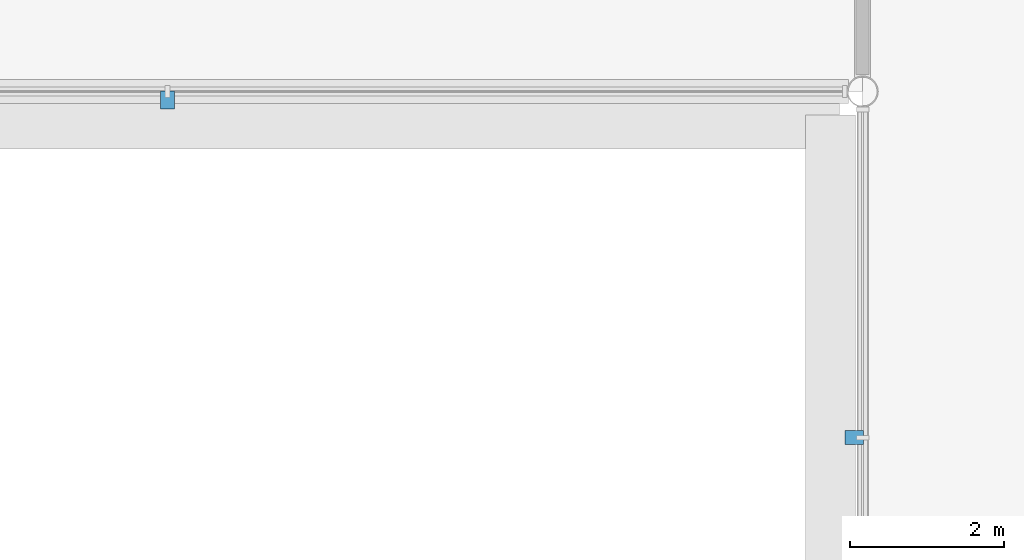
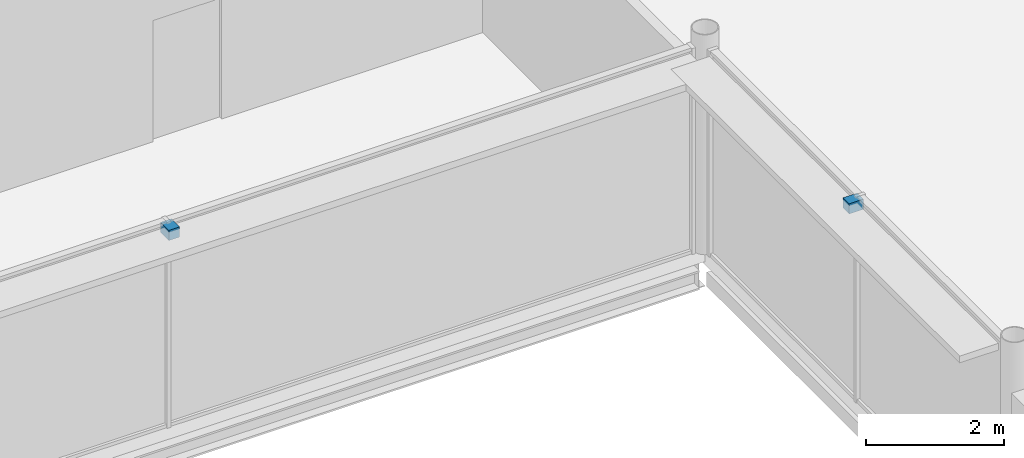
# One storey, part 75 of 96: 2 discrete accessories.
"""IFC4 building model written with IfcOpenShell, lengths in metres."""

from ifc_helpers import new_model, si_unit, direction, frame, origin, origin_2d, place, context, subcontext, project, spatial, rectangle, extrude, material, type_object, element, save


model = new_model("IFC4")

# Units and contexts
model_context = context("Model", 3, precision=1e-05, world=origin(), true_north=direction((0.0, 1.0)))
body_context = subcontext(model_context, "Body", "Model", "MODEL_VIEW")
ifc_project = project(units=[si_unit("LENGTHUNIT", "METRE"), si_unit("AREAUNIT", "SQUARE_METRE"), si_unit("VOLUMEUNIT", "CUBIC_METRE"), si_unit("PLANEANGLEUNIT", "RADIAN"), si_unit("MASSUNIT", "GRAM", prefix="KILO")], contexts=[model_context])

# Site, building, storey
site_placement = place(None, origin())
site = spatial("IfcSite", under=ifc_project, at=site_placement, CompositionType="ELEMENT")
building_placement = place(site_placement, origin())
building = spatial("IfcBuilding", under=site, at=building_placement, Name="Kisiwana Market Hall", CompositionType="ELEMENT")
storey_placement = place(building_placement, frame((0.0, 0.0, 25.5)))
storey = spatial("IfcBuildingStorey", under=building, at=storey_placement, Name="L05", CompositionType="ELEMENT", Elevation=25.5)

# Discrete accessories
ifc_material = material(Name="Steel S355", Category="steel")
discrete_accessory_type = type_object("IfcDiscreteAccessoryType", Name="ACC-BRACKET-STL", PredefinedType="BRACKET", material=ifc_material)
for number, where, z_axis, x_axis, name in (
    (1, (143.9609375, 92.889892578125, 3.44482421875), (0.0, 0.0, 1.0), (1.0, 0.0, 0.0), "Sunshade steel bracket BRK-090"),
    (2, (152.889892578125, 88.5, 3.44482421875), (0.0, 0.0, 1.0), (0.0, 1.0, 0.0), "Sunshade steel bracket BRK-098"),
):
    element("IfcDiscreteAccessory", number, at=place(storey_placement, frame(where, z_axis=z_axis, x_axis=x_axis)), inside=storey, type_object=discrete_accessory_type, Name=name, PredefinedType="BRACKET", context=body_context, shape_type="SweptSolid", body=[
        extrude(rectangle(XDim=0.179931640625, YDim=0.239990234375, at=origin_2d()), origin(), (0.0, 0.0, 1.0), 0.179931640625),
    ])

save(model, "model.ifc")
